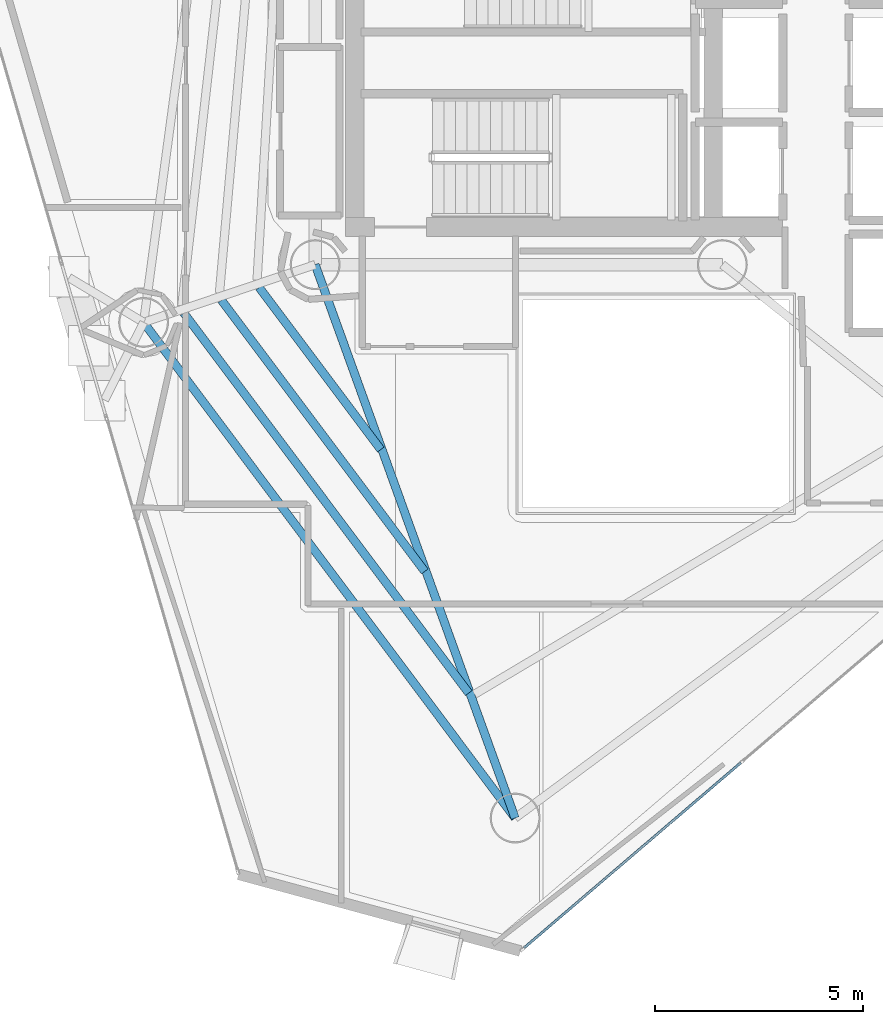
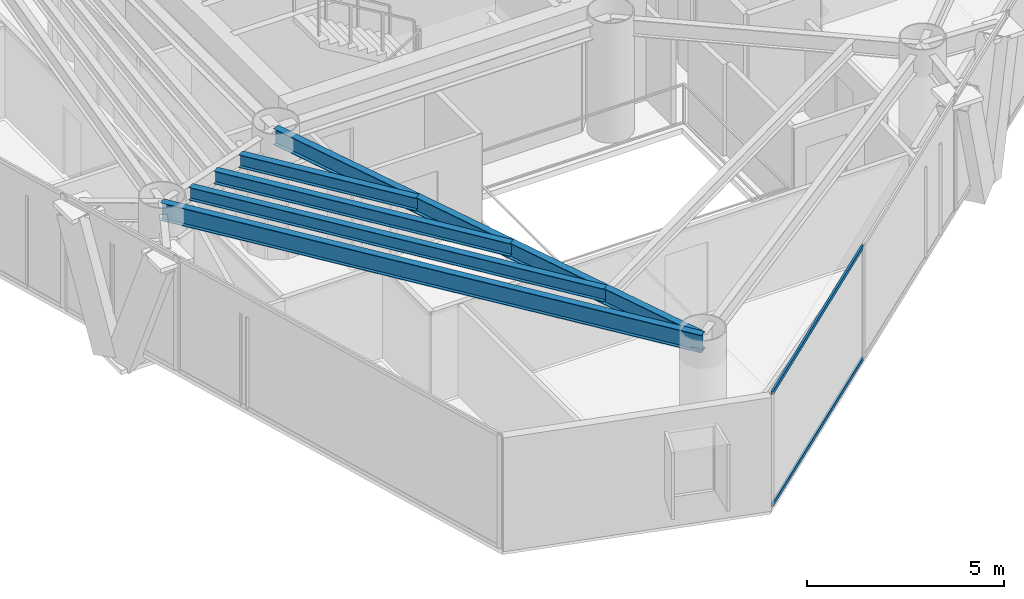
# One storey, part 4 of 23: 5 beams, 2 members, 1 element without a shape of its own.
"""IFC4 building model written with IfcOpenShell, lengths in metres."""

from ifc_helpers import new_model, si_unit, direction, frame, origin, origin_2d, place, context, subcontext, project, spatial, hollow_rectangle, i_section, extrude, material, layer, layer_set, material_profile, profile_set, type_object, element, aggregate, save


model = new_model("IFC4")

# Units and contexts
model_context = context("Model", 3, precision=1e-05, world=origin(), true_north=direction((0.0, 1.0)))
body_context = subcontext(model_context, "Body", "Model", "MODEL_VIEW")
ifc_project = project(units=[si_unit("LENGTHUNIT", "METRE"), si_unit("AREAUNIT", "SQUARE_METRE"), si_unit("VOLUMEUNIT", "CUBIC_METRE"), si_unit("PLANEANGLEUNIT", "RADIAN"), si_unit("MASSUNIT", "GRAM", prefix="KILO")], contexts=[model_context])

# Site, building, storey
site_placement = place(None, origin())
site = spatial("IfcSite", under=ifc_project, at=site_placement, CompositionType="ELEMENT")
building_placement = place(site_placement, origin())
building = spatial("IfcBuilding", under=site, at=building_placement, Name="Qianvela Tower", CompositionType="ELEMENT")
storey_placement = place(building_placement, frame((0.0, 0.0, 215.10009765625)))
storey = spatial("IfcBuildingStorey", under=building, at=storey_placement, Name="L55", CompositionType="ELEMENT", Elevation=215.10009765625)

# Beams
ifc_material_1 = material(Name="Steel Q355B", Category="steel")
ifc_material_profile_1 = material_profile(ifc_material_1, i_section(OverallWidth=0.199951171875, OverallDepth=0.39990234375, WebThickness=0.008056640625, FlangeThickness=0.012939453125, at=origin_2d()), Name="HN400x200x8x13")
ifc_profile_set_1 = profile_set([ifc_material_profile_1], Name="Steel Q355B")
beam_type_1 = type_object("IfcBeamType", Name="BM-HN400-JOIST", PredefinedType="JOIST", material=ifc_profile_set_1)
beam_1_placement = place(storey_placement, frame((27.254150390625, 23.300537109375, 3.31787109375), z_axis=(0.599735620965, -0.800198216035, 0.0), x_axis=(0.800198216035, 0.599735620965, 0.0)))
element("IfcBeam", 1, at=beam_1_placement, inside=storey, type_object=beam_type_1, Name="L55 Secondary Composite Floor Joist 4.1", PredefinedType="JOIST", context=body_context, shape_type="SweptSolid", body=[
    extrude(i_section(OverallWidth=0.199951171875, OverallDepth=0.39990234375, WebThickness=0.008056640625, FlangeThickness=0.012939453125, at=origin_2d()), origin(), (0.0, 0.0, 1.0), 4.87646484375),
])
beam_2_placement = place(storey_placement, frame((26.345947265625, 22.994873046875, 3.31787109375), z_axis=(0.59975572356, -0.800183149071, 0.0), x_axis=(0.800183149071, 0.59975572356, 0.0)))
element("IfcBeam", 2, at=beam_2_placement, inside=storey, type_object=beam_type_1, Name="L55 Secondary Composite Floor Joist 4.2", PredefinedType="JOIST", context=body_context, shape_type="SweptSolid", body=[
    extrude(i_section(OverallWidth=0.199951171875, OverallDepth=0.39990234375, WebThickness=0.008056640625, FlangeThickness=0.012939453125, at=origin_2d()), origin(), (0.0, 0.0, 1.0), 8.156494140625),
])
beam_3_placement = place(storey_placement, frame((25.437744140625, 22.68896484375, 3.31787109375), z_axis=(0.599760871552, -0.800179290507, 0.0), x_axis=(0.800179290507, 0.599760871552, 0.0)))
element("IfcBeam", 3, at=beam_3_placement, inside=storey, type_object=beam_type_1, Name="L55 Secondary Composite Floor Joist 4.3", PredefinedType="JOIST", context=body_context, shape_type="SweptSolid", body=[
    extrude(i_section(OverallWidth=0.199951171875, OverallDepth=0.39990234375, WebThickness=0.008056640625, FlangeThickness=0.012939453125, at=origin_2d()), origin(), (0.0, 0.0, 1.0), 11.43603515625),
])
ifc_material_2 = material(Name="Steel Q355B", Category="steel")
ifc_material_profile_2 = material_profile(ifc_material_2, i_section(OverallWidth=0.199951171875, OverallDepth=0.5, WebThickness=0.010009765625, FlangeThickness=0.01611328125, at=origin_2d()), Name="HN500x200x10x16")
ifc_profile_set_2 = profile_set([ifc_material_profile_2], Name="Steel Q355B")
beam_type_2 = type_object("IfcBeamType", Name="BM-HN500-GIRD", PredefinedType="BEAM", material=ifc_profile_set_2)
beam_4_placement = place(storey_placement, frame((28.60009765625, 23.85009765625, 3.267822265625), z_axis=(0.339851607149, -0.940479072132, 0.0), x_axis=(0.940479072132, 0.339851607149, 0.0)))
element("IfcBeam", 4, at=beam_4_placement, inside=storey, type_object=beam_type_2, Name="L55 Radial Primary Floor Girder 5", PredefinedType="BEAM", context=body_context, shape_type="SweptSolid", body=[
    extrude(i_section(OverallWidth=0.199951171875, OverallDepth=0.5, WebThickness=0.010009765625, FlangeThickness=0.01611328125, at=origin_2d()), origin(), (0.0, 0.0, 1.0), 14.162109375),
])
ifc_material_3 = material(Name="Steel Q355B", Category="steel")
ifc_material_profile_3 = material_profile(ifc_material_3, i_section(OverallWidth=0.199951171875, OverallDepth=0.550048828125, WebThickness=0.010009765625, FlangeThickness=0.01611328125, at=origin_2d()), Name="HN550x200x10x16")
ifc_profile_set_3 = profile_set([ifc_material_profile_3], Name="Steel Q355B")
beam_type_3 = type_object("IfcBeamType", Name="BM-HN550-GIRD", PredefinedType="BEAM", material=ifc_profile_set_3)
beam_5_placement = place(storey_placement, frame((24.471923828125, 22.4599609375, 3.242919921875), z_axis=(0.599761529533, -0.800178797327, 0.0), x_axis=(0.800178797327, 0.599761529533, 0.0)))
element("IfcBeam", 5, at=beam_5_placement, inside=storey, type_object=beam_type_3, Name="L55 Perimeter Ring Spandrel Girder 4", PredefinedType="BEAM", context=body_context, shape_type="SweptSolid", body=[
    extrude(i_section(OverallWidth=0.199951171875, OverallDepth=0.550048828125, WebThickness=0.010009765625, FlangeThickness=0.01611328125, at=origin_2d()), origin(), (0.0, 0.0, 1.0), 14.907958984375),
])

# Curtain wall, members
ifc_material_4 = material(Name="Anodised Architectural Aluminium and Low-E Glass", Category="aluminium")
ifc_layer = layer(ifc_material_4, 0.159912109375)
ifc_layer_set = layer_set([ifc_layer], Name="Anodised Architectural Aluminium and Low-E Glass")
curtain_wall_type = type_object("IfcCurtainWallType", Name="CW-COLIV-Z56", PredefinedType="USERDEFINED", material=ifc_layer_set)
curtain_wall_placement = place(storey_placement, origin())
curtain_wall = element("IfcCurtainWall", 6, at=curtain_wall_placement, inside=storey, type_object=curtain_wall_type, Name="L55 CW-COLIV-Z56 Curtain Wall 06A", ObjectType="CURTAIN_WALL_SYSTEM", PredefinedType="USERDEFINED")
ifc_material_5 = material(Name="Anodised Architectural Aluminium 6063-T6", Category="aluminium")
ifc_material_profile_4 = material_profile(ifc_material_5, hollow_rectangle(XDim=0.06005859375, YDim=0.114990234375, WallThickness=0.00390625, at=origin_2d()), Name="ALU-TRAN-60x115")
ifc_profile_set_4 = profile_set([ifc_material_profile_4], Name="Anodised Architectural Aluminium 6063-T6")
member_type = type_object("IfcMemberType", Name="CW-COLIV-Z56-TRAN", PredefinedType="USERDEFINED", material=ifc_profile_set_4)
member_1_placement = place(storey_placement, frame((33.62646484375, 7.404296875, 0.02978515625), z_axis=(0.760256985666, 0.64962244092, 0.0), x_axis=(-0.64962244092, 0.760256985666, 0.0)))
member_1 = element("IfcMember", 7, at=member_1_placement, type_object=member_type, Name="CW-5 transom 1.1", ObjectType="TRANSOM", PredefinedType="USERDEFINED", context=body_context, shape_type="SweptSolid", body=[
    extrude(hollow_rectangle(XDim=0.06005859375, YDim=0.114990234375, WallThickness=0.00390625, at=origin_2d()), origin(), (0.0, 0.0, 1.0), 6.867431640625),
])
member_2_placement = place(storey_placement, frame((33.62646484375, 7.404296875, 3.489990234375), z_axis=(0.760256985666, 0.64962244092, 0.0), x_axis=(-0.64962244092, 0.760256985666, 0.0)))
member_2 = element("IfcMember", 8, at=member_2_placement, type_object=member_type, Name="CW-5 transom 1.2", ObjectType="TRANSOM", PredefinedType="USERDEFINED", context=body_context, shape_type="SweptSolid", body=[
    extrude(hollow_rectangle(XDim=0.06005859375, YDim=0.114990234375, WallThickness=0.00390625, at=origin_2d()), origin(), (0.0, 0.0, 1.0), 6.867431640625),
])
aggregate(curtain_wall, [member_1, member_2])

save(model, "model.ifc")
